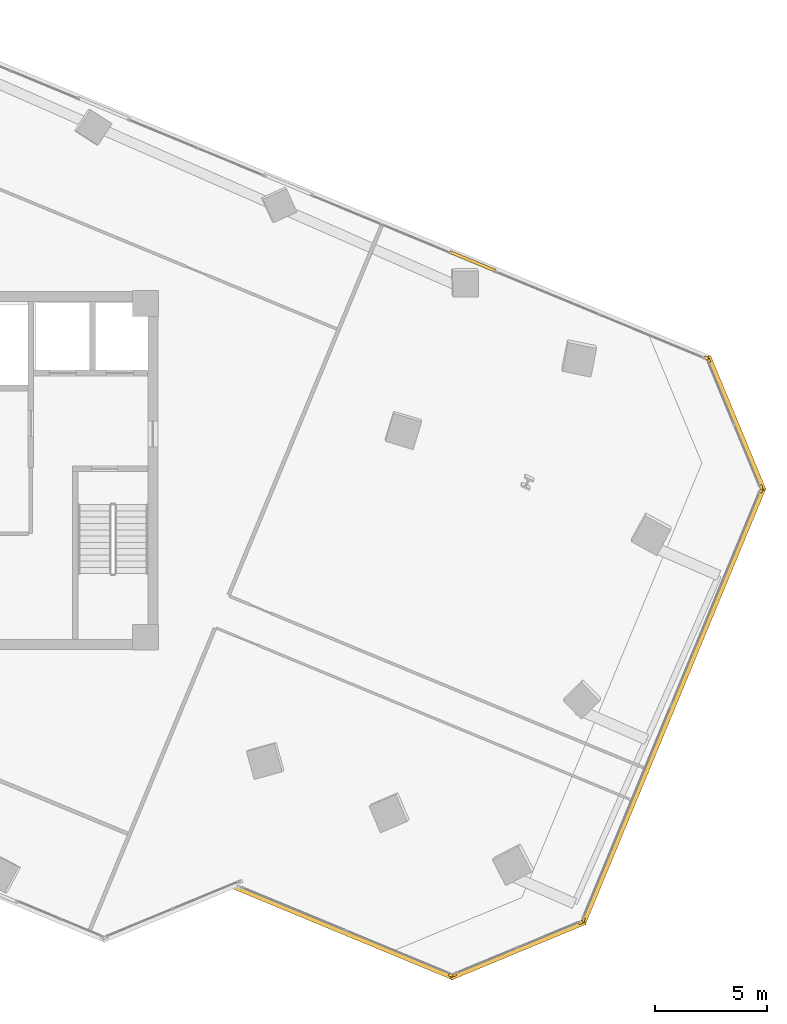
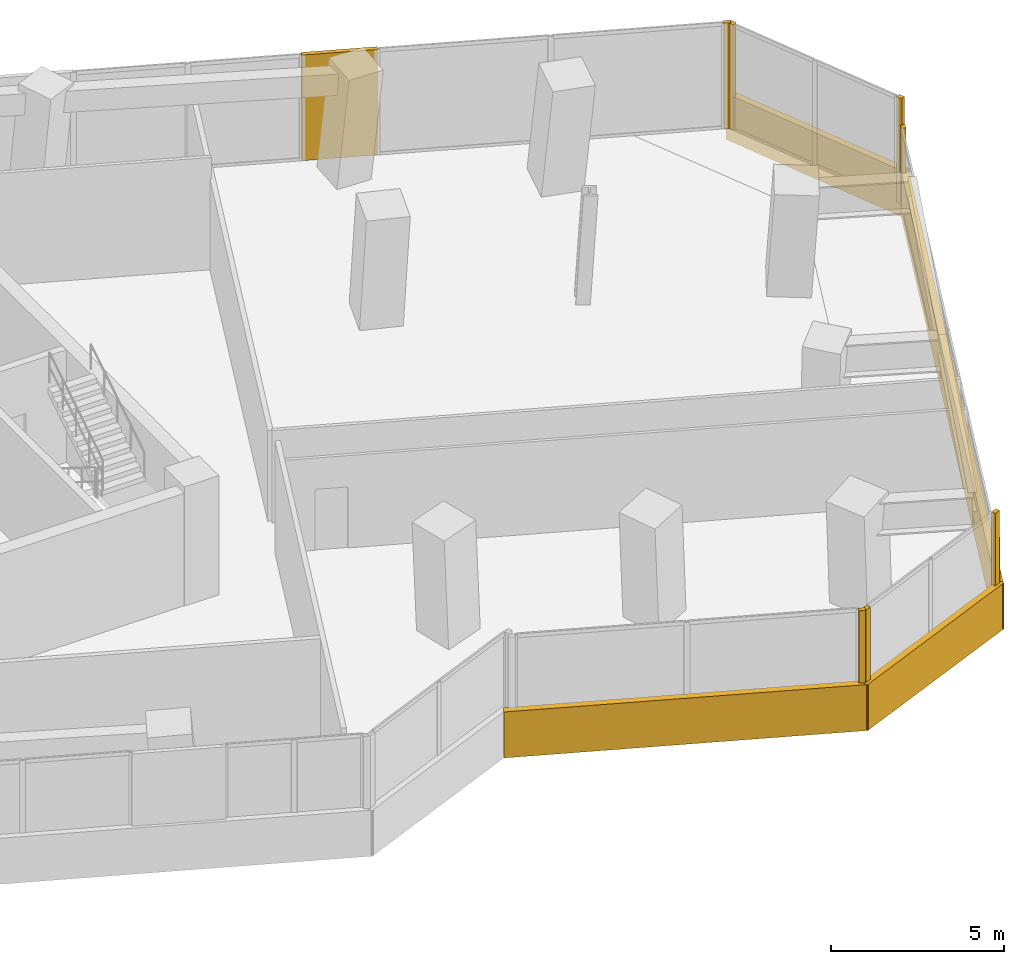
# One storey, part 22 of 23: 13 coverings.
"""IFC4 building model written with IfcOpenShell, lengths in metres."""

from ifc_helpers import new_model, si_unit, direction, frame, origin, origin_2d, place, context, subcontext, project, spatial, rectangle, extrude, source, transform, mapped, material, layer, layer_set, type_object, element, save


model = new_model("IFC4")

# Units and contexts
model_context = context("Model", 3, precision=1e-05, world=origin(), true_north=direction((0.0, 1.0)))
body_context = subcontext(model_context, "Body", "Model", "MODEL_VIEW")
ifc_project = project(units=[si_unit("LENGTHUNIT", "METRE"), si_unit("AREAUNIT", "SQUARE_METRE"), si_unit("VOLUMEUNIT", "CUBIC_METRE"), si_unit("PLANEANGLEUNIT", "RADIAN"), si_unit("MASSUNIT", "GRAM", prefix="KILO")], contexts=[model_context])

# Site, building, storey
site_placement = place(None, origin())
site = spatial("IfcSite", under=ifc_project, at=site_placement, CompositionType="ELEMENT")
building_placement = place(site_placement, origin())
building = spatial("IfcBuilding", under=site, at=building_placement, Name="Torre Montelarca", CompositionType="ELEMENT")
storey_placement = place(building_placement, frame((0.0, 0.0, 145.60009765625)))
storey = spatial("IfcBuildingStorey", under=building, at=storey_placement, Name="L32", CompositionType="ELEMENT", Elevation=145.60009765625)

# Coverings
ifc_material = material(Name="Bush-hammered warm white precast concrete C45/55", Category="concrete")
ifc_layer = layer(ifc_material, 0.139892578125, Name="Bush-hammered warm white precast concrete C45/55", Category="concrete")
ifc_layer_set = layer_set([ifc_layer], Name="Bush-hammered warm white precast concrete C45/55")
covering_type = type_object("IfcCoveringType", Name="COV-TRAY-CLAD", PredefinedType="CLADDING", material=ifc_layer_set)
shared_shape_1 = source(origin(), body_context, "Body", "SweptSolid", [
    extrude(rectangle(XDim=6.48388671875, YDim=0.219970703125, at=origin_2d()), origin(), (0.0, 0.0, 1.0), 1.6201171875),
])
for number, where, z_axis, x_axis, name in (
    (1, (43.07568359375, 10.58447265625, -0.4501953125), (0.0, 0.0, 1.0), (0.923885543575, 0.382668920052, 0.0), "L32 Architectural White Spandrel Tray Band TRYBOT-05"),
    (2, (52.81787109375, 34.10400390625, -0.4501953125), (0.0, 0.0, 1.0), (-0.3826737575, 0.923883539912, 0.0), "L32 Architectural White Spandrel Tray Band TRYBOT-07"),
):
    element("IfcCovering", number, at=place(storey_placement, frame(where, z_axis=z_axis, x_axis=x_axis)), inside=storey, type_object=covering_type, Name=name, PredefinedType="CLADDING", context=body_context, shape_type="MappedRepresentation", body=[
        mapped(shared_shape_1, transform((0.0, 0.0, 0.0), scale=1.0)),
    ])
shared_shape_2 = source(origin(), body_context, "Body", "SweptSolid", [
    extrude(rectangle(XDim=21.1201171875, YDim=0.219970703125, at=origin_2d()), origin(), (0.0, 0.0, 1.0), 1.6201171875),
])
covering_1_placement = place(storey_placement, frame((50.017333984375, 21.486572265625, -0.4501953125), z_axis=(0.0, 0.0, 1.0), x_axis=(0.382680207415, 0.923880868323, 0.0)))
element("IfcCovering", 3, at=covering_1_placement, inside=storey, type_object=covering_type, Name="L32 Architectural White Spandrel Tray Band TRYBOT-06", PredefinedType="CLADDING", context=body_context, shape_type="MappedRepresentation", body=[
    mapped(shared_shape_2, transform((0.0, 0.0, 0.0), scale=1.0)),
])
shared_shape_3 = source(origin(), body_context, "Body", "SweptSolid", [
    extrude(rectangle(XDim=0.199951171875, YDim=0.139892578125, at=origin_2d()), origin(), (0.0, 0.0, 1.0), 3.719970703125),
])
for number, where, z_axis, x_axis, name in (
    (4, (40.07470703125, 9.466552734375, 0.0), (0.0, 0.0, 1.0), (0.923882872019, -0.382675369981, 0.0), "L32 Architectural Column Pier Cladding E04-2"),
    (5, (40.219970703125, 9.466552734375, 0.0), (0.0, 0.0, 1.0), (0.923885543575, 0.382668920052, 0.0), "L32 Architectural Column Pier Cladding E05-1"),
    (6, (45.885498046875, 11.81298828125, 0.0), (0.0, 0.0, 1.0), (0.923885543575, 0.382668920052, 0.0), "L32 Architectural Column Pier Cladding E05-2"),
    (7, (53.935791015625, 31.248291015625, 0.0), (0.0, 0.0, 1.0), (-0.382675369981, 0.923882872019, 0.0), "L32 Architectural Column Pier Cladding E07-1"),
    (8, (51.589111328125, 36.913818359375, 0.0), (0.0, 0.0, 1.0), (-0.382675369981, 0.923882872019, 0.0), "L32 Architectural Column Pier Cladding E07-2"),
    (9, (51.486572265625, 37.0166015625, 0.0), (0.0, 0.0, 1.0), (-0.923878864601, 0.382685044838, 0.0), "L32 Architectural Column Pier Cladding E08-1"),
):
    element("IfcCovering", number, at=place(storey_placement, frame(where, z_axis=z_axis, x_axis=x_axis)), inside=storey, type_object=covering_type, Name=name, PredefinedType="CLADDING", context=body_context, shape_type="MappedRepresentation", body=[
        mapped(shared_shape_3, transform((0.0, 0.0, 0.0), scale=1.0)),
    ])
shared_shape_4 = source(origin(), body_context, "Body", "SweptSolid", [
    extrude(rectangle(XDim=0.199951171875, YDim=0.139892578125, at=origin_2d()), origin(), (0.0, 0.0, 1.0), 2.77490234375),
])
for number, where, z_axis, x_axis, name in (
    (10, (45.98828125, 11.915771484375, 0.0), (0.0, 0.0, 1.0), (0.382681819891, 0.923880200418, 0.0), "L32 Architectural Column Pier Cladding E06-1"),
    (11, (53.935791015625, 31.103271484375, 0.0), (0.0, 0.0, 1.0), (0.382681819891, 0.923880200418, 0.0), "L32 Architectural Column Pier Cladding E06-2"),
):
    element("IfcCovering", number, at=place(storey_placement, frame(where, z_axis=z_axis, x_axis=x_axis)), inside=storey, type_object=covering_type, Name=name, PredefinedType="CLADDING", context=body_context, shape_type="MappedRepresentation", body=[
        mapped(shared_shape_4, transform((0.0, 0.0, 0.0), scale=1.0)),
    ])
shared_shape_5 = source(origin(), body_context, "Body", "SweptSolid", [
    extrude(rectangle(XDim=2.2099609375, YDim=0.139892578125, at=origin_2d()), origin(), (0.0, 0.0, 1.0), 3.719970703125),
])
covering_2_placement = place(storey_placement, frame((41.061279296875, 41.334716796875, 0.0), z_axis=(0.0, 0.0, 1.0), x_axis=(-0.923878864601, 0.382685044838, 0.0)))
element("IfcCovering", 12, at=covering_2_placement, inside=storey, type_object=covering_type, Name="L32 Architectural Column Pier Cladding E08-2", PredefinedType="CLADDING", context=body_context, shape_type="MappedRepresentation", body=[
    mapped(shared_shape_5, transform((0.0, 0.0, 0.0), scale=1.0)),
])
shared_shape_6 = source(origin(), body_context, "Body", "SweptSolid", [
    extrude(rectangle(XDim=10.619873046875, YDim=0.219970703125, at=origin_2d()), origin(), (0.0, 0.0, 1.0), 1.6201171875),
])
covering_3_placement = place(storey_placement, frame((35.30859375, 11.375732421875, -0.4501953125), z_axis=(0.0, 0.0, 1.0), x_axis=(0.923881536224, -0.382678594938, 0.0)))
element("IfcCovering", 13, at=covering_3_placement, inside=storey, type_object=covering_type, Name="L32 Architectural White Spandrel Tray Band TRYBOT-04", PredefinedType="CLADDING", context=body_context, shape_type="MappedRepresentation", body=[
    mapped(shared_shape_6, transform((0.0, 0.0, 0.0), scale=1.0)),
])

save(model, "model.ifc")
